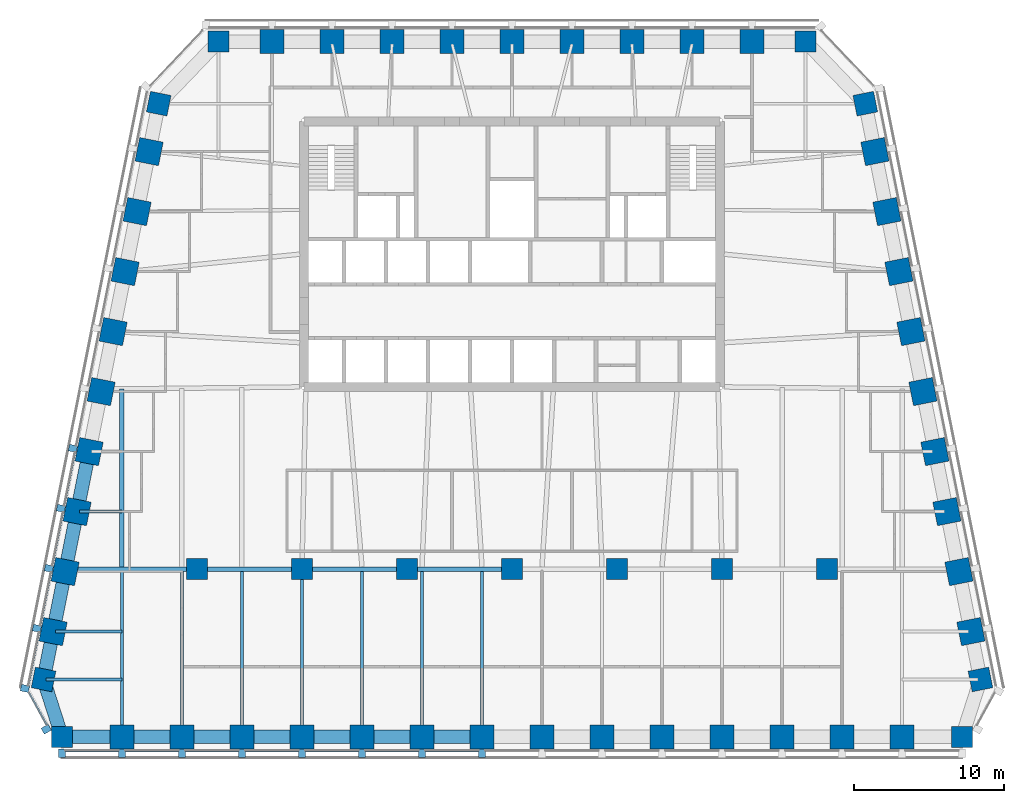
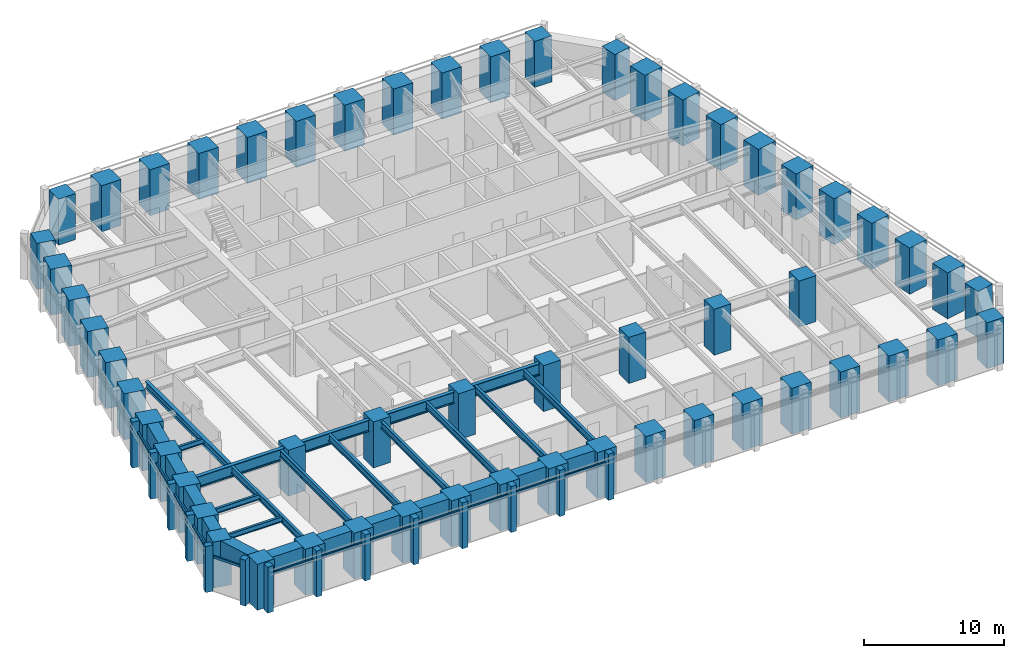
# One storey, part 1 of 11: 56 columns, 27 beams, 26 members, 3 elements without a shape of their own.
"""IFC4 building model written with IfcOpenShell, lengths in metres."""

from ifc_helpers import new_model, si_unit, direction, frame, origin, origin_2d, place, context, subcontext, project, spatial, rectangle, i_section, extrude, material, material_profile, profile_set, type_object, element, aggregate, save


model = new_model("IFC4")

# Units and contexts
model_context = context("Model", 3, precision=1e-05, world=origin(), true_north=direction((0.0, 1.0)))
body_context = subcontext(model_context, "Body", "Model", "MODEL_VIEW")
ifc_project = project(units=[si_unit("LENGTHUNIT", "METRE"), si_unit("AREAUNIT", "SQUARE_METRE"), si_unit("VOLUMEUNIT", "CUBIC_METRE"), si_unit("PLANEANGLEUNIT", "RADIAN"), si_unit("MASSUNIT", "GRAM", prefix="KILO")], contexts=[model_context])

# Site, building, storey
site_placement = place(None, origin())
site = spatial("IfcSite", under=ifc_project, at=site_placement, CompositionType="ELEMENT")
building_placement = place(site_placement, origin())
building = spatial("IfcBuilding", under=site, at=building_placement, Name="Isbrekke Arena Tower", CompositionType="ELEMENT")
storey_placement = place(building_placement, frame((0.0, 0.0, 210.0)))
storey = spatial("IfcBuildingStorey", under=building, at=storey_placement, Name="L48", CompositionType="ELEMENT", Elevation=210.0)

# Columns
ifc_material_1 = material(Name="Concrete B65 (C65/80)", Category="concrete")
ifc_material_profile_1 = material_profile(ifc_material_1, rectangle(XDim=1.39990234375, YDim=1.39990234375, at=origin_2d()), Name="RC 1400x1400")
ifc_profile_set_1 = profile_set([ifc_material_profile_1], Name="Concrete B65 (C65/80)")
column_type_1 = type_object("IfcColumnType", Name="C13 RC 1400 x 1400", PredefinedType="COLUMN", material=ifc_profile_set_1)
for number, where, z_axis, x_axis, name in (
    (1, (-21.0, -6.0, 0.0), (0.0, 0.0, 1.0), (1.0, 0.0, 0.0), "C13 I01"),
    (2, (-14.0, -6.0, 0.0), (0.0, 0.0, 1.0), (1.0, 0.0, 0.0), "C13 I02"),
    (3, (-7.0, -6.0, 0.0), (0.0, 0.0, 1.0), (1.0, 0.0, 0.0), "C13 I03"),
    (4, (0.0, -6.0, 0.0), (0.0, 0.0, 1.0), (1.0, 0.0, 0.0), "C13 I04"),
    (5, (7.0, -6.0, 0.0), (0.0, 0.0, 1.0), (1.0, 0.0, 0.0), "C13 I05"),
    (6, (14.0, -6.0, 0.0), (0.0, 0.0, 1.0), (1.0, 0.0, 0.0), "C13 I06"),
    (7, (21.0, -6.0, 0.0), (0.0, 0.0, 1.0), (1.0, 0.0, 0.0), "C13 I07"),
):
    element("IfcColumn", number, at=place(storey_placement, frame(where, z_axis=z_axis, x_axis=x_axis)), inside=storey, type_object=column_type_1, Name=name, PredefinedType="COLUMN", context=body_context, shape_type="SweptSolid", body=[
        extrude(rectangle(XDim=1.39990234375, YDim=1.39990234375, at=origin_2d()), origin(), (0.0, 0.0, 1.0), 4.0),
    ])
ifc_material_2 = material(Name="Concrete B65 (C65/80)", Category="concrete")
ifc_material_profile_2 = material_profile(ifc_material_2, rectangle(XDim=1.60009765625, YDim=1.60009765625, at=origin_2d()), Name="RC 1600x1600")
ifc_profile_set_2 = profile_set([ifc_material_profile_2], Name="Concrete B65 (C65/80)")
column_type_2 = type_object("IfcColumnType", Name="C4 RC 1600 x 1600", PredefinedType="COLUMN", material=ifc_profile_set_2)
for number, where, z_axis, x_axis, name in (
    (8, (-26.0, -17.175048828125, 0.0), (0.0, 0.0, 1.0), (1.0, 0.0, 0.0), "C4 S02"),
    (9, (-22.0, -17.175048828125, 0.0), (0.0, 0.0, 1.0), (1.0, 0.0, 0.0), "C4 S03"),
    (10, (-18.0, -17.175048828125, 0.0), (0.0, 0.0, 1.0), (1.0, 0.0, 0.0), "C4 S04"),
    (11, (-14.0, -17.175048828125, 0.0), (0.0, 0.0, 1.0), (1.0, 0.0, 0.0), "C4 S05"),
    (12, (-10.0, -17.175048828125, 0.0), (0.0, 0.0, 1.0), (1.0, 0.0, 0.0), "C4 S06"),
    (13, (-6.0, -17.175048828125, 0.0), (0.0, 0.0, 1.0), (1.0, 0.0, 0.0), "C4 S07"),
    (14, (-2.0, -17.175048828125, 0.0), (0.0, 0.0, 1.0), (1.0, 0.0, 0.0), "C4 S08"),
    (15, (2.0, -17.175048828125, 0.0), (0.0, 0.0, 1.0), (1.0, 0.0, 0.0), "C4 S09"),
    (16, (6.0, -17.175048828125, 0.0), (0.0, 0.0, 1.0), (1.0, 0.0, 0.0), "C4 S10"),
    (17, (10.0, -17.175048828125, 0.0), (0.0, 0.0, 1.0), (1.0, 0.0, 0.0), "C4 S11"),
    (18, (14.0, -17.175048828125, 0.0), (0.0, 0.0, 1.0), (1.0, 0.0, 0.0), "C4 S12"),
    (19, (18.0, -17.175048828125, 0.0), (0.0, 0.0, 1.0), (1.0, 0.0, 0.0), "C4 S13"),
    (20, (22.0, -17.175048828125, 0.0), (0.0, 0.0, 1.0), (1.0, 0.0, 0.0), "C4 S14"),
    (21, (26.0, -17.175048828125, 0.0), (0.0, 0.0, 1.0), (1.0, 0.0, 0.0), "C4 S15"),
    (22, (30.591064453125, -10.161865234375, 0.0), (0.0, 0.0, 1.0), (-0.196116135138, 0.980580675691, 0.0), "C4 E02"),
    (23, (29.791015625, -6.161865234375, 0.0), (0.0, 0.0, 1.0), (-0.196116135138, 0.980580675691, 0.0), "C4 E03"),
    (24, (28.990966796875, -2.161865234375, 0.0), (0.0, 0.0, 1.0), (-0.196116135138, 0.980580675691, 0.0), "C4 E04"),
    (25, (28.19091796875, 1.838134765625, 0.0), (0.0, 0.0, 1.0), (-0.196116135138, 0.980580675691, 0.0), "C4 E05"),
    (26, (27.39111328125, 5.838134765625, 0.0), (0.0, 0.0, 1.0), (-0.196116135138, 0.980580675691, 0.0), "C4 E06"),
    (27, (26.591064453125, 9.838134765625, 0.0), (0.0, 0.0, 1.0), (-0.196116135138, 0.980580675691, 0.0), "C4 E07"),
    (28, (25.791015625, 13.838134765625, 0.0), (0.0, 0.0, 1.0), (-0.196116135138, 0.980580675691, 0.0), "C4 E08"),
    (29, (24.990966796875, 17.838134765625, 0.0), (0.0, 0.0, 1.0), (-0.196116135138, 0.980580675691, 0.0), "C4 E09"),
    (30, (24.19091796875, 21.838134765625, 0.0), (0.0, 0.0, 1.0), (-0.196116135138, 0.980580675691, 0.0), "C4 E10"),
    (31, (16.0, 29.175048828125, 0.0), (0.0, 0.0, 1.0), (-1.0, 0.0, 0.0), "C4 N02"),
    (32, (12.0, 29.175048828125, 0.0), (0.0, 0.0, 1.0), (-1.0, 0.0, 0.0), "C4 N03"),
    (33, (8.0, 29.175048828125, 0.0), (0.0, 0.0, 1.0), (-1.0, 0.0, 0.0), "C4 N04"),
    (34, (4.0, 29.175048828125, 0.0), (0.0, 0.0, 1.0), (-1.0, 0.0, 0.0), "C4 N05"),
    (35, (0.0, 29.175048828125, 0.0), (0.0, 0.0, 1.0), (-1.0, 0.0, 0.0), "C4 N06"),
    (36, (-4.0, 29.175048828125, 0.0), (0.0, 0.0, 1.0), (-1.0, 0.0, 0.0), "C4 N07"),
    (37, (-8.0, 29.175048828125, 0.0), (0.0, 0.0, 1.0), (-1.0, 0.0, 0.0), "C4 N08"),
    (38, (-12.0, 29.175048828125, 0.0), (0.0, 0.0, 1.0), (-1.0, 0.0, 0.0), "C4 N09"),
    (39, (-16.0, 29.175048828125, 0.0), (0.0, 0.0, 1.0), (-1.0, 0.0, 0.0), "C4 N10"),
    (40, (-24.19091796875, 21.838134765625, 0.0), (0.0, 0.0, 1.0), (-0.196116135138, -0.980580675691, 0.0), "C4 W02"),
    (41, (-24.990966796875, 17.838134765625, 0.0), (0.0, 0.0, 1.0), (-0.196116135138, -0.980580675691, 0.0), "C4 W03"),
    (42, (-25.791015625, 13.838134765625, 0.0), (0.0, 0.0, 1.0), (-0.196116135138, -0.980580675691, 0.0), "C4 W04"),
    (43, (-26.591064453125, 9.838134765625, 0.0), (0.0, 0.0, 1.0), (-0.196116135138, -0.980580675691, 0.0), "C4 W05"),
    (44, (-27.39111328125, 5.838134765625, 0.0), (0.0, 0.0, 1.0), (-0.196116135138, -0.980580675691, 0.0), "C4 W06"),
    (45, (-28.19091796875, 1.838134765625, 0.0), (0.0, 0.0, 1.0), (-0.196116135138, -0.980580675691, 0.0), "C4 W07"),
    (46, (-28.990966796875, -2.161865234375, 0.0), (0.0, 0.0, 1.0), (-0.196116135138, -0.980580675691, 0.0), "C4 W08"),
    (47, (-29.791015625, -6.161865234375, 0.0), (0.0, 0.0, 1.0), (-0.196116135138, -0.980580675691, 0.0), "C4 W09"),
    (48, (-30.591064453125, -10.161865234375, 0.0), (0.0, 0.0, 1.0), (-0.196116135138, -0.980580675691, 0.0), "C4 W10"),
):
    element("IfcColumn", number, at=place(storey_placement, frame(where, z_axis=z_axis, x_axis=x_axis)), inside=storey, type_object=column_type_2, Name=name, PredefinedType="COLUMN", context=body_context, shape_type="SweptSolid", body=[
        extrude(rectangle(XDim=1.60009765625, YDim=1.60009765625, at=origin_2d()), origin(), (0.0, 0.0, 1.0), 4.0),
    ])
ifc_material_3 = material(Name="Concrete B65 (C65/80)", Category="concrete")
ifc_material_profile_3 = material_profile(ifc_material_3, rectangle(XDim=1.39990234375, YDim=1.39990234375, at=origin_2d()), Name="RC 1400x1400")
ifc_profile_set_3 = profile_set([ifc_material_profile_3], Name="Concrete B65 (C65/80)")
column_type_3 = type_object("IfcColumnType", Name="C8 RC 1400 x 1400", PredefinedType="COLUMN", material=ifc_profile_set_3)
for number, where, z_axis, x_axis, name in (
    (49, (-30.0, -17.175048828125, 0.0), (0.0, 0.0, 1.0), (1.0, 0.0, 0.0), "C8 S01"),
    (50, (30.0, -17.175048828125, 0.0), (0.0, 0.0, 1.0), (1.0, 0.0, 0.0), "C8 S16"),
    (51, (31.229248046875, -13.352783203125, 0.0), (0.0, 0.0, 1.0), (-0.196116135138, 0.980580675691, 0.0), "C8 E01"),
    (52, (23.552734375, 25.029296875, 0.0), (0.0, 0.0, 1.0), (-0.196116135138, 0.980580675691, 0.0), "C8 E11"),
    (53, (19.574951171875, 29.175048828125, 0.0), (0.0, 0.0, 1.0), (-1.0, 0.0, 0.0), "C8 N01"),
    (54, (-19.574951171875, 29.175048828125, 0.0), (0.0, 0.0, 1.0), (-1.0, 0.0, 0.0), "C8 N11"),
    (55, (-23.552734375, 25.029296875, 0.0), (0.0, 0.0, 1.0), (-0.196116135138, -0.980580675691, 0.0), "C8 W01"),
    (56, (-31.229248046875, -13.352783203125, 0.0), (0.0, 0.0, 1.0), (-0.196116135138, -0.980580675691, 0.0), "C8 W11"),
):
    element("IfcColumn", number, at=place(storey_placement, frame(where, z_axis=z_axis, x_axis=x_axis)), inside=storey, type_object=column_type_3, Name=name, PredefinedType="COLUMN", context=body_context, shape_type="SweptSolid", body=[
        extrude(rectangle(XDim=1.39990234375, YDim=1.39990234375, at=origin_2d()), origin(), (0.0, 0.0, 1.0), 4.0),
    ])

# Beams
ifc_material_4 = material(Name="Steel S355", Category="steel")
ifc_material_profile_4 = material_profile(ifc_material_4, i_section(OverallWidth=0.219970703125, OverallDepth=0.60009765625, WebThickness=0.011962890625, FlangeThickness=0.01904296875, FilletRadius=0.02392578125, at=origin_2d()), Name="IPE 600")
ifc_profile_set_4 = profile_set([ifc_material_profile_4], Name="Steel S355")
beam_type_1 = type_object("IfcBeamType", Name="B1 IPE 600", PredefinedType="BEAM", material=ifc_profile_set_4)
for number, where, z_axis, x_axis, name in (
    (57, (-26.0, -17.02490234375, 3.550048828125), (0.0, 1.0, 0.0), (-1.0, 0.0, 0.0), "B1 beam S-S02 L48"),
    (58, (-22.0, -17.02490234375, 3.550048828125), (0.0, 1.0, 0.0), (-1.0, 0.0, 0.0), "B1 beam S-S03 L48"),
    (59, (-18.0, -17.02490234375, 3.550048828125), (0.0, 1.0, 0.0), (-1.0, 0.0, 0.0), "B1 beam S-S04 L48"),
):
    element("IfcBeam", number, at=place(storey_placement, frame(where, z_axis=z_axis, x_axis=x_axis)), inside=storey, type_object=beam_type_1, Name=name, PredefinedType="BEAM", context=body_context, shape_type="SweptSolid", body=[
        extrude(i_section(OverallWidth=0.219970703125, OverallDepth=0.60009765625, WebThickness=0.011962890625, FlangeThickness=0.01904296875, FilletRadius=0.02392578125, at=origin_2d()), origin(), (0.0, 0.0, 1.0), 10.8740234375),
    ])
beam_1_placement = place(storey_placement, frame((-14.0, -17.02490234375, 3.550048828125), z_axis=(0.0, 1.0, 0.0), x_axis=(-1.0, 0.0, 0.0)))
element("IfcBeam", 60, at=beam_1_placement, inside=storey, type_object=beam_type_1, Name="B1 beam S-S05 L48", PredefinedType="BEAM", context=body_context, shape_type="SweptSolid", body=[
    extrude(i_section(OverallWidth=0.219970703125, OverallDepth=0.60009765625, WebThickness=0.011962890625, FlangeThickness=0.01904296875, FilletRadius=0.02392578125, at=origin_2d()), origin(), (0.0, 0.0, 1.0), 10.875),
])
for number, where, z_axis, x_axis, name in (
    (61, (-10.0, -17.02490234375, 3.550048828125), (0.0, 1.0, 0.0), (-1.0, 0.0, 0.0), "B1 beam S-S06 L48"),
    (62, (-6.0, -17.02490234375, 3.550048828125), (0.0, 1.0, 0.0), (-1.0, 0.0, 0.0), "B1 beam S-S07 L48"),
    (63, (-2.0, -17.02490234375, 3.550048828125), (0.0, 1.0, 0.0), (-1.0, 0.0, 0.0), "B1 beam S-S08 L48"),
):
    element("IfcBeam", number, at=place(storey_placement, frame(where, z_axis=z_axis, x_axis=x_axis)), inside=storey, type_object=beam_type_1, Name=name, PredefinedType="BEAM", context=body_context, shape_type="SweptSolid", body=[
        extrude(i_section(OverallWidth=0.219970703125, OverallDepth=0.60009765625, WebThickness=0.011962890625, FlangeThickness=0.01904296875, FilletRadius=0.02392578125, at=origin_2d()), origin(), (0.0, 0.0, 1.0), 10.8740234375),
    ])
ifc_material_5 = material(Name="Steel S355", Category="steel")
ifc_material_profile_5 = material_profile(ifc_material_5, i_section(OverallWidth=0.18994140625, OverallDepth=0.449951171875, WebThickness=0.009521484375, FlangeThickness=0.0146484375, FilletRadius=0.02099609375, at=origin_2d()), Name="IPE 450")
ifc_profile_set_5 = profile_set([ifc_material_profile_5], Name="Steel S355")
beam_type_2 = type_object("IfcBeamType", Name="B2 IPE 450", PredefinedType="BEAM", material=ifc_profile_set_5)
beam_2_placement = place(storey_placement, frame((-28.841064453125, -2.161865234375, 3.625), z_axis=(1.0, 0.0, 0.0), x_axis=(0.0, 1.0, 0.0)))
element("IfcBeam", 64, at=beam_2_placement, inside=storey, type_object=beam_type_2, Name="B2 beam E-W08 L48", PredefinedType="BEAM", context=body_context, shape_type="SweptSolid", body=[
    extrude(i_section(OverallWidth=0.18994140625, OverallDepth=0.449951171875, WebThickness=0.009521484375, FlangeThickness=0.0146484375, FilletRadius=0.02099609375, at=origin_2d()), origin(), (0.0, 0.0, 1.0), 2.841064453125),
])
beam_3_placement = place(storey_placement, frame((-30.44091796875, -10.161865234375, 3.625), z_axis=(1.0, 0.0, 0.0), x_axis=(0.0, 1.0, 0.0)))
element("IfcBeam", 65, at=beam_3_placement, inside=storey, type_object=beam_type_2, Name="B2 beam E-W10 L48", PredefinedType="BEAM", context=body_context, shape_type="SweptSolid", body=[
    extrude(i_section(OverallWidth=0.18994140625, OverallDepth=0.449951171875, WebThickness=0.009521484375, FlangeThickness=0.0146484375, FilletRadius=0.02099609375, at=origin_2d()), origin(), (0.0, 0.0, 1.0), 4.44091796875),
])
beam_4_placement = place(storey_placement, frame((-31.079345703125, -13.352783203125, 3.625), z_axis=(1.0, 0.0, 0.0), x_axis=(0.0, 1.0, 0.0)))
element("IfcBeam", 66, at=beam_4_placement, inside=storey, type_object=beam_type_2, Name="B2 beam E-W11 L48", PredefinedType="BEAM", context=body_context, shape_type="SweptSolid", body=[
    extrude(i_section(OverallWidth=0.18994140625, OverallDepth=0.449951171875, WebThickness=0.009521484375, FlangeThickness=0.0146484375, FilletRadius=0.02099609375, at=origin_2d()), origin(), (0.0, 0.0, 1.0), 5.079345703125),
])
ifc_material_6 = material(Name="Steel S355", Category="steel")
ifc_material_profile_6 = material_profile(ifc_material_6, i_section(OverallWidth=0.300048828125, OverallDepth=0.60009765625, WebThickness=0.015380859375, FlangeThickness=0.030029296875, FilletRadius=0.027099609375, at=origin_2d()), Name="HEB 600")
ifc_profile_set_6 = profile_set([ifc_material_profile_6], Name="Steel S355")
beam_type_3 = type_object("IfcBeamType", Name="B7 HEB 600", PredefinedType="BEAM", material=ifc_profile_set_6)
beam_5_placement = place(storey_placement, frame((-26.0, -5.84912109375, 3.550048828125), z_axis=(0.0, 1.0, 0.0), x_axis=(-1.0, 0.0, 0.0)))
element("IfcBeam", 67, at=beam_5_placement, inside=storey, type_object=beam_type_3, Name="B7 beam C-M01 L48", PredefinedType="BEAM", context=body_context, shape_type="SweptSolid", body=[
    extrude(i_section(OverallWidth=0.300048828125, OverallDepth=0.60009765625, WebThickness=0.015380859375, FlangeThickness=0.030029296875, FilletRadius=0.027099609375, at=origin_2d()), origin(), (0.0, 0.0, 1.0), 11.864990234375),
])

# Curtain wall, members
ifc_material_7 = material(Name="Glazed aluminium curtain wall", Category="aluminium")
curtain_wall_type = type_object("IfcCurtainWallType", Name="CWH TOWER CURTAIN WALL HIGH ZONE", PredefinedType="USERDEFINED", material=ifc_material_7)
curtain_wall_1_placement = place(storey_placement, origin())
curtain_wall_1 = element("IfcCurtainWall", 68, at=curtain_wall_1_placement, inside=storey, type_object=curtain_wall_type, Name="CWH curtain wall L48-S", ObjectType="TOWER CURTAIN WALL HIGH ZONE", PredefinedType="USERDEFINED")
ifc_material_8 = material(Name="Aluminium mullion, pale brick slip cladding", Category="masonry")
ifc_material_profile_7 = material_profile(ifc_material_8, rectangle(XDim=0.449951171875, YDim=0.550048828125, at=origin_2d()), Name="PIER 450X550")
ifc_profile_set_7 = profile_set([ifc_material_profile_7], Name="Aluminium mullion, pale brick slip cladding")
member_type_1 = type_object("IfcMemberType", Name="CWH-M PIER MULLION 450 x 550", PredefinedType="MULLION", material=ifc_profile_set_7)
member_1_placement = place(storey_placement, frame((-30.0, -18.27490234375, 0.0), z_axis=(0.0, 0.0, 1.0), x_axis=(1.0, 0.0, 0.0)))
member_1 = element("IfcMember", 69, at=member_1_placement, type_object=member_type_1, Name="CWH-M mullion 1", PredefinedType="MULLION", context=body_context, shape_type="SweptSolid", body=[
    extrude(rectangle(XDim=0.449951171875, YDim=0.550048828125, at=origin_2d()), origin(), (0.0, 0.0, 1.0), 4.0),
])
member_2_placement = place(storey_placement, frame((-26.0, -18.27490234375, 0.0), z_axis=(0.0, 0.0, 1.0), x_axis=(1.0, 0.0, 0.0)))
member_2 = element("IfcMember", 70, at=member_2_placement, type_object=member_type_1, Name="CWH-M mullion 2", PredefinedType="MULLION", context=body_context, shape_type="SweptSolid", body=[
    extrude(rectangle(XDim=0.449951171875, YDim=0.550048828125, at=origin_2d()), origin(), (0.0, 0.0, 1.0), 4.0),
])
member_3_placement = place(storey_placement, frame((-22.0, -18.27490234375, 0.0), z_axis=(0.0, 0.0, 1.0), x_axis=(1.0, 0.0, 0.0)))
member_3 = element("IfcMember", 71, at=member_3_placement, type_object=member_type_1, Name="CWH-M mullion 3", PredefinedType="MULLION", context=body_context, shape_type="SweptSolid", body=[
    extrude(rectangle(XDim=0.449951171875, YDim=0.550048828125, at=origin_2d()), origin(), (0.0, 0.0, 1.0), 4.0),
])
member_4_placement = place(storey_placement, frame((-18.0, -18.27490234375, 0.0), z_axis=(0.0, 0.0, 1.0), x_axis=(1.0, 0.0, 0.0)))
member_4 = element("IfcMember", 72, at=member_4_placement, type_object=member_type_1, Name="CWH-M mullion 4", PredefinedType="MULLION", context=body_context, shape_type="SweptSolid", body=[
    extrude(rectangle(XDim=0.449951171875, YDim=0.550048828125, at=origin_2d()), origin(), (0.0, 0.0, 1.0), 4.0),
])
member_5_placement = place(storey_placement, frame((-14.0, -18.27490234375, 0.0), z_axis=(0.0, 0.0, 1.0), x_axis=(1.0, 0.0, 0.0)))
member_5 = element("IfcMember", 73, at=member_5_placement, type_object=member_type_1, Name="CWH-M mullion 5", PredefinedType="MULLION", context=body_context, shape_type="SweptSolid", body=[
    extrude(rectangle(XDim=0.449951171875, YDim=0.550048828125, at=origin_2d()), origin(), (0.0, 0.0, 1.0), 4.0),
])
member_6_placement = place(storey_placement, frame((-10.0, -18.27490234375, 0.0), z_axis=(0.0, 0.0, 1.0), x_axis=(1.0, 0.0, 0.0)))
member_6 = element("IfcMember", 74, at=member_6_placement, type_object=member_type_1, Name="CWH-M mullion 6", PredefinedType="MULLION", context=body_context, shape_type="SweptSolid", body=[
    extrude(rectangle(XDim=0.449951171875, YDim=0.550048828125, at=origin_2d()), origin(), (0.0, 0.0, 1.0), 4.0),
])
member_7_placement = place(storey_placement, frame((-6.0, -18.27490234375, 0.0), z_axis=(0.0, 0.0, 1.0), x_axis=(1.0, 0.0, 0.0)))
member_7 = element("IfcMember", 75, at=member_7_placement, type_object=member_type_1, Name="CWH-M mullion 7", PredefinedType="MULLION", context=body_context, shape_type="SweptSolid", body=[
    extrude(rectangle(XDim=0.449951171875, YDim=0.550048828125, at=origin_2d()), origin(), (0.0, 0.0, 1.0), 4.0),
])
member_8_placement = place(storey_placement, frame((-2.0, -18.27490234375, 0.0), z_axis=(0.0, 0.0, 1.0), x_axis=(1.0, 0.0, 0.0)))
member_8 = element("IfcMember", 76, at=member_8_placement, type_object=member_type_1, Name="CWH-M mullion 8", PredefinedType="MULLION", context=body_context, shape_type="SweptSolid", body=[
    extrude(rectangle(XDim=0.449951171875, YDim=0.550048828125, at=origin_2d()), origin(), (0.0, 0.0, 1.0), 4.0),
])

curtain_wall_2_placement = place(storey_placement, origin())
curtain_wall_2 = element("IfcCurtainWall", 77, at=curtain_wall_2_placement, inside=storey, type_object=curtain_wall_type, Name="CWH curtain wall L48-W", ObjectType="TOWER CURTAIN WALL HIGH ZONE", PredefinedType="USERDEFINED")
member_9_placement = place(storey_placement, frame((-29.269775390625, 2.053955078125, 0.0), z_axis=(0.0, 0.0, 1.0), x_axis=(-0.196116135138, -0.980580675691, 0.0)))
member_9 = element("IfcMember", 78, at=member_9_placement, type_object=member_type_1, Name="CWH-M mullion 6", PredefinedType="MULLION", context=body_context, shape_type="SweptSolid", body=[
    extrude(rectangle(XDim=0.449951171875, YDim=0.550048828125, at=origin_2d()), origin(), (0.0, 0.0, 1.0), 4.0),
])
member_10_placement = place(storey_placement, frame((-30.069580078125, -1.946044921875, 0.0), z_axis=(0.0, 0.0, 1.0), x_axis=(-0.196116135138, -0.980580675691, 0.0)))
member_10 = element("IfcMember", 79, at=member_10_placement, type_object=member_type_1, Name="CWH-M mullion 7", PredefinedType="MULLION", context=body_context, shape_type="SweptSolid", body=[
    extrude(rectangle(XDim=0.449951171875, YDim=0.550048828125, at=origin_2d()), origin(), (0.0, 0.0, 1.0), 4.0),
])
member_11_placement = place(storey_placement, frame((-30.86962890625, -5.946044921875, 0.0), z_axis=(0.0, 0.0, 1.0), x_axis=(-0.196116135138, -0.980580675691, 0.0)))
member_11 = element("IfcMember", 80, at=member_11_placement, type_object=member_type_1, Name="CWH-M mullion 8", PredefinedType="MULLION", context=body_context, shape_type="SweptSolid", body=[
    extrude(rectangle(XDim=0.449951171875, YDim=0.550048828125, at=origin_2d()), origin(), (0.0, 0.0, 1.0), 4.0),
])
member_12_placement = place(storey_placement, frame((-31.669677734375, -9.946044921875, 0.0), z_axis=(0.0, 0.0, 1.0), x_axis=(-0.196116135138, -0.980580675691, 0.0)))
member_12 = element("IfcMember", 81, at=member_12_placement, type_object=member_type_1, Name="CWH-M mullion 9", PredefinedType="MULLION", context=body_context, shape_type="SweptSolid", body=[
    extrude(rectangle(XDim=0.449951171875, YDim=0.550048828125, at=origin_2d()), origin(), (0.0, 0.0, 1.0), 4.0),
])
member_13_placement = place(storey_placement, frame((-32.4697265625, -13.946044921875, 0.0), z_axis=(0.0, 0.0, 1.0), x_axis=(-0.196116135138, -0.980580675691, 0.0)))
member_13 = element("IfcMember", 82, at=member_13_placement, type_object=member_type_1, Name="CWH-M mullion 10", PredefinedType="MULLION", context=body_context, shape_type="SweptSolid", body=[
    extrude(rectangle(XDim=0.449951171875, YDim=0.550048828125, at=origin_2d()), origin(), (0.0, 0.0, 1.0), 4.0),
])

# Curtain wall, member
curtain_wall_3_placement = place(storey_placement, origin())
curtain_wall_3 = element("IfcCurtainWall", 83, at=curtain_wall_3_placement, inside=storey, type_object=curtain_wall_type, Name="CWH curtain wall L48-WS", ObjectType="TOWER CURTAIN WALL HIGH ZONE", PredefinedType="USERDEFINED")
member_14_placement = place(storey_placement, frame((-31.04638671875, -16.66796875, 0.0), z_axis=(0.0, 0.0, 1.0), x_axis=(0.481918749773, -0.876215908676, 0.0)))
member_14 = element("IfcMember", 84, at=member_14_placement, type_object=member_type_1, Name="CWH-M mullion 1", PredefinedType="MULLION", context=body_context, shape_type="SweptSolid", body=[
    extrude(rectangle(XDim=0.449951171875, YDim=0.550048828125, at=origin_2d()), origin(), (0.0, 0.0, 1.0), 4.0),
])

# Member
ifc_material_9 = material(Name="Aluminium transom", Category="aluminium")
ifc_material_profile_8 = material_profile(ifc_material_9, rectangle(XDim=0.1201171875, YDim=0.199951171875, at=origin_2d()), Name="TRANSOM 120X200")
ifc_profile_set_8 = profile_set([ifc_material_profile_8], Name="Aluminium transom")
member_type_2 = type_object("IfcMemberType", Name="CWH-T TRANSOM 120 x 200", PredefinedType="USERDEFINED", material=ifc_profile_set_8)
member_15_placement = place(storey_placement, frame((-29.77490234375, -18.10009765625, 3.0), z_axis=(1.0, 0.0, 0.0), x_axis=(0.0, 1.0, 0.0)))
member_15 = element("IfcMember", 85, at=member_15_placement, type_object=member_type_2, Name="CWH-T transom 1", ObjectType="TRANSOM", PredefinedType="USERDEFINED", context=body_context, shape_type="SweptSolid", body=[
    extrude(rectangle(XDim=0.1201171875, YDim=0.199951171875, at=origin_2d()), origin(), (0.0, 0.0, 1.0), 3.5498046875),
])

member_16_placement = place(storey_placement, frame((-25.77490234375, -18.10009765625, 3.0), z_axis=(1.0, 0.0, 0.0), x_axis=(0.0, 1.0, 0.0)))
member_16 = element("IfcMember", 86, at=member_16_placement, type_object=member_type_2, Name="CWH-T transom 2", ObjectType="TRANSOM", PredefinedType="USERDEFINED", context=body_context, shape_type="SweptSolid", body=[
    extrude(rectangle(XDim=0.1201171875, YDim=0.199951171875, at=origin_2d()), origin(), (0.0, 0.0, 1.0), 3.5498046875),
])

member_17_placement = place(storey_placement, frame((-21.77490234375, -18.10009765625, 3.0), z_axis=(1.0, 0.0, 0.0), x_axis=(0.0, 1.0, 0.0)))
member_17 = element("IfcMember", 87, at=member_17_placement, type_object=member_type_2, Name="CWH-T transom 3", ObjectType="TRANSOM", PredefinedType="USERDEFINED", context=body_context, shape_type="SweptSolid", body=[
    extrude(rectangle(XDim=0.1201171875, YDim=0.199951171875, at=origin_2d()), origin(), (0.0, 0.0, 1.0), 3.5498046875),
])

member_18_placement = place(storey_placement, frame((-17.77490234375, -18.10009765625, 3.0), z_axis=(1.0, 0.0, 0.0), x_axis=(0.0, 1.0, 0.0)))
member_18 = element("IfcMember", 88, at=member_18_placement, type_object=member_type_2, Name="CWH-T transom 4", ObjectType="TRANSOM", PredefinedType="USERDEFINED", context=body_context, shape_type="SweptSolid", body=[
    extrude(rectangle(XDim=0.1201171875, YDim=0.199951171875, at=origin_2d()), origin(), (0.0, 0.0, 1.0), 3.5498046875),
])

member_19_placement = place(storey_placement, frame((-13.77490234375, -18.10009765625, 3.0), z_axis=(1.0, 0.0, 0.0), x_axis=(0.0, 1.0, 0.0)))
member_19 = element("IfcMember", 89, at=member_19_placement, type_object=member_type_2, Name="CWH-T transom 5", ObjectType="TRANSOM", PredefinedType="USERDEFINED", context=body_context, shape_type="SweptSolid", body=[
    extrude(rectangle(XDim=0.1201171875, YDim=0.199951171875, at=origin_2d()), origin(), (0.0, 0.0, 1.0), 3.5498046875),
])

member_20_placement = place(storey_placement, frame((-9.77490234375, -18.10009765625, 3.0), z_axis=(1.0, 0.0, 0.0), x_axis=(0.0, 1.0, 0.0)))
member_20 = element("IfcMember", 90, at=member_20_placement, type_object=member_type_2, Name="CWH-T transom 6", ObjectType="TRANSOM", PredefinedType="USERDEFINED", context=body_context, shape_type="SweptSolid", body=[
    extrude(rectangle(XDim=0.1201171875, YDim=0.199951171875, at=origin_2d()), origin(), (0.0, 0.0, 1.0), 3.5498046875),
])

member_21_placement = place(storey_placement, frame((-5.77490234375, -18.10009765625, 3.0), z_axis=(1.0, 0.0, 0.0), x_axis=(0.0, 1.0, 0.0)))
member_21 = element("IfcMember", 91, at=member_21_placement, type_object=member_type_2, Name="CWH-T transom 7", ObjectType="TRANSOM", PredefinedType="USERDEFINED", context=body_context, shape_type="SweptSolid", body=[
    extrude(rectangle(XDim=0.1201171875, YDim=0.199951171875, at=origin_2d()), origin(), (0.0, 0.0, 1.0), 3.5498046875),
])

aggregate(curtain_wall_1, [member_1, member_2, member_3, member_4, member_5, member_6, member_7, member_8, member_15, member_16, member_17, member_18, member_19, member_20, member_21])

member_22_placement = place(storey_placement, frame((-29.14208984375, 1.799072265625, 3.0), z_axis=(-0.196154943734, -0.980572913173, 0.0), x_axis=(0.980572913173, -0.196154943734, 0.0)))
member_22 = element("IfcMember", 92, at=member_22_placement, type_object=member_type_2, Name="CWH-T transom 7", ObjectType="TRANSOM", PredefinedType="USERDEFINED", context=body_context, shape_type="SweptSolid", body=[
    extrude(rectangle(XDim=0.1201171875, YDim=0.199951171875, at=origin_2d()), origin(), (0.0, 0.0, 1.0), 3.62939453125),
])

member_23_placement = place(storey_placement, frame((-29.942138671875, -2.200927734375, 3.0), z_axis=(-0.196154943734, -0.980572913173, 0.0), x_axis=(0.980572913173, -0.196154943734, 0.0)))
member_23 = element("IfcMember", 93, at=member_23_placement, type_object=member_type_2, Name="CWH-T transom 8", ObjectType="TRANSOM", PredefinedType="USERDEFINED", context=body_context, shape_type="SweptSolid", body=[
    extrude(rectangle(XDim=0.1201171875, YDim=0.199951171875, at=origin_2d()), origin(), (0.0, 0.0, 1.0), 3.62939453125),
])

member_24_placement = place(storey_placement, frame((-30.7421875, -6.200927734375, 3.0), z_axis=(-0.196090262229, -0.980585849918, 0.0), x_axis=(0.980585849918, -0.196090262229, 0.0)))
member_24 = element("IfcMember", 94, at=member_24_placement, type_object=member_type_2, Name="CWH-T transom 9", ObjectType="TRANSOM", PredefinedType="USERDEFINED", context=body_context, shape_type="SweptSolid", body=[
    extrude(rectangle(XDim=0.1201171875, YDim=0.199951171875, at=origin_2d()), origin(), (0.0, 0.0, 1.0), 3.62939453125),
])

member_25_placement = place(storey_placement, frame((-31.542236328125, -10.200927734375, 3.0), z_axis=(-0.196090262229, -0.980585849918, 0.0), x_axis=(0.980585849918, -0.196090262229, 0.0)))
member_25 = element("IfcMember", 95, at=member_25_placement, type_object=member_type_2, Name="CWH-T transom 10", ObjectType="TRANSOM", PredefinedType="USERDEFINED", context=body_context, shape_type="SweptSolid", body=[
    extrude(rectangle(XDim=0.1201171875, YDim=0.199951171875, at=origin_2d()), origin(), (0.0, 0.0, 1.0), 3.62939453125),
])

aggregate(curtain_wall_2, [member_9, member_10, member_11, member_12, member_13, member_22, member_23, member_24, member_25])

member_26_placement = place(storey_placement, frame((-32.17919921875, -14.245361328125, 3.0), z_axis=(0.481957101782, -0.876194813978, 0.0), x_axis=(0.876194813978, 0.481957101782, 0.0)))
member_26 = element("IfcMember", 96, at=member_26_placement, type_object=member_type_2, Name="CWH-T transom 1", ObjectType="TRANSOM", PredefinedType="USERDEFINED", context=body_context, shape_type="SweptSolid", body=[
    extrude(rectangle(XDim=0.1201171875, YDim=0.199951171875, at=origin_2d()), origin(), (0.0, 0.0, 1.0), 2.443603515625),
])

aggregate(curtain_wall_3, [member_14, member_26])

# Beams
ifc_material_10 = material(Name="Steel S355", Category="steel")
ifc_material_profile_9 = material_profile(ifc_material_10, i_section(OverallWidth=0.302001953125, OverallDepth=1.008056640625, WebThickness=0.02099609375, FlangeThickness=0.0400390625, FilletRadius=0.030029296875, at=origin_2d()), Name="HEM 1000")
ifc_profile_set_9 = profile_set([ifc_material_profile_9], Name="Steel S355")
beam_type_4 = type_object("IfcBeamType", Name="G1 HEM 1000", PredefinedType="BEAM", material=ifc_profile_set_9)
beam_6_placement = place(storey_placement, frame((-29.791015625, -6.0, 3.345947265625), z_axis=(1.0, 0.0, 0.0), x_axis=(0.0, 1.0, 0.0)))
element("IfcBeam", 97, at=beam_6_placement, inside=storey, type_object=beam_type_4, Name="G1 beam G1-01 L48", PredefinedType="BEAM", context=body_context, shape_type="SweptSolid", body=[
    extrude(i_section(OverallWidth=0.302001953125, OverallDepth=1.008056640625, WebThickness=0.02099609375, FlangeThickness=0.0400390625, FilletRadius=0.030029296875, at=origin_2d()), origin(), (0.0, 0.0, 1.0), 8.64111328125),
])
for number, where, z_axis, x_axis, name in (
    (98, (-20.85009765625, -6.0, 3.345947265625), (1.0, 0.0, 0.0), (0.0, 1.0, 0.0), "G1 beam G1-02 L48"),
    (99, (-13.85009765625, -6.0, 3.345947265625), (1.0, 0.0, 0.0), (0.0, 1.0, 0.0), "G1 beam G1-03 L48"),
    (100, (-6.85009765625, -6.0, 3.345947265625), (1.0, 0.0, 0.0), (0.0, 1.0, 0.0), "G1 beam G1-04 L48"),
):
    element("IfcBeam", number, at=place(storey_placement, frame(where, z_axis=z_axis, x_axis=x_axis)), inside=storey, type_object=beam_type_4, Name=name, PredefinedType="BEAM", context=body_context, shape_type="SweptSolid", body=[
        extrude(i_section(OverallWidth=0.302001953125, OverallDepth=1.008056640625, WebThickness=0.02099609375, FlangeThickness=0.0400390625, FilletRadius=0.030029296875, at=origin_2d()), origin(), (0.0, 0.0, 1.0), 6.7001953125),
    ])
ifc_material_11 = material(Name="Concrete B65 (C65/80)", Category="concrete")
ifc_material_profile_10 = material_profile(ifc_material_11, rectangle(XDim=0.89990234375, YDim=1.5, at=origin_2d()), Name="RC 900x1500")
ifc_profile_set_10 = profile_set([ifc_material_profile_10], Name="Concrete B65 (C65/80)")
beam_type_5 = type_object("IfcBeamType", Name="SB3 RC 900 x 1500", PredefinedType="SPANDREL", material=ifc_profile_set_10)
for number, where, z_axis, x_axis, name in (
    (101, (-29.85009765625, -17.175048828125, 3.25), (1.0, 0.0, 0.0), (0.0, 1.0, 0.0), "SB3 spandrel S01-S02 L48"),
    (102, (-25.85009765625, -17.175048828125, 3.25), (1.0, 0.0, 0.0), (0.0, 1.0, 0.0), "SB3 spandrel S02-S03 L48"),
    (103, (-21.85009765625, -17.175048828125, 3.25), (1.0, 0.0, 0.0), (0.0, 1.0, 0.0), "SB3 spandrel S03-S04 L48"),
    (104, (-17.85009765625, -17.175048828125, 3.25), (1.0, 0.0, 0.0), (0.0, 1.0, 0.0), "SB3 spandrel S04-S05 L48"),
    (105, (-13.85009765625, -17.175048828125, 3.25), (1.0, 0.0, 0.0), (0.0, 1.0, 0.0), "SB3 spandrel S05-S06 L48"),
    (106, (-9.85009765625, -17.175048828125, 3.25), (1.0, 0.0, 0.0), (0.0, 1.0, 0.0), "SB3 spandrel S06-S07 L48"),
    (107, (-5.85009765625, -17.175048828125, 3.25), (1.0, 0.0, 0.0), (0.0, 1.0, 0.0), "SB3 spandrel S07-S08 L48"),
):
    element("IfcBeam", number, at=place(storey_placement, frame(where, z_axis=z_axis, x_axis=x_axis)), inside=storey, type_object=beam_type_5, Name=name, PredefinedType="SPANDREL", context=body_context, shape_type="SweptSolid", body=[
        extrude(rectangle(XDim=0.89990234375, YDim=1.5, at=origin_2d()), origin(), (0.0, 0.0, 1.0), 3.7001953125),
    ])
for number, where, z_axis, x_axis, name in (
    (108, (-28.220458984375, 1.691162109375, 3.25), (-0.196128558387, -0.980578190959, 0.0), (0.980578190959, -0.196128558387, 0.0), "SB3 spandrel W07-W08 L48"),
    (109, (-29.0205078125, -2.308837890625, 3.25), (-0.196128558387, -0.980578190959, 0.0), (0.980578190959, -0.196128558387, 0.0), "SB3 spandrel W08-W09 L48"),
):
    element("IfcBeam", number, at=place(storey_placement, frame(where, z_axis=z_axis, x_axis=x_axis)), inside=storey, type_object=beam_type_5, Name=name, PredefinedType="SPANDREL", context=body_context, shape_type="SweptSolid", body=[
        extrude(rectangle(XDim=0.89990234375, YDim=1.5, at=origin_2d()), origin(), (0.0, 0.0, 1.0), 3.779296875),
    ])
beam_7_placement = place(storey_placement, frame((-29.820556640625, -6.308837890625, 3.25), z_axis=(-0.1960664412, -0.980590613169, 0.0), x_axis=(0.980590613169, -0.1960664412, 0.0)))
element("IfcBeam", 110, at=beam_7_placement, inside=storey, type_object=beam_type_5, Name="SB3 spandrel W09-W10 L48", PredefinedType="SPANDREL", context=body_context, shape_type="SweptSolid", body=[
    extrude(rectangle(XDim=0.89990234375, YDim=1.5, at=origin_2d()), origin(), (0.0, 0.0, 1.0), 3.779052734375),
])
beam_8_placement = place(storey_placement, frame((-30.620361328125, -10.308837890625, 3.25), z_axis=(-0.196100243168, -0.980583853951, 0.0), x_axis=(0.980583853951, -0.196100243168, 0.0)))
element("IfcBeam", 111, at=beam_8_placement, inside=storey, type_object=beam_type_5, Name="SB3 spandrel W10-W11 L48", PredefinedType="SPANDREL", context=body_context, shape_type="SweptSolid", body=[
    extrude(rectangle(XDim=0.89990234375, YDim=1.5, at=origin_2d()), origin(), (0.0, 0.0, 1.0), 2.954345703125),
])
beam_9_placement = place(storey_placement, frame((-31.183349609375, -13.49560546875, 3.25), z_axis=(0.306175101476, -0.951975213562, 0.0), x_axis=(0.951975213562, 0.306175101476, 0.0)))
element("IfcBeam", 112, at=beam_9_placement, inside=storey, type_object=beam_type_5, Name="SB3 spandrel W11-S01 L48", PredefinedType="SPANDREL", context=body_context, shape_type="SweptSolid", body=[
    extrude(rectangle(XDim=0.89990234375, YDim=1.5, at=origin_2d()), origin(), (0.0, 0.0, 1.0), 3.715087890625),
])

save(model, "model.ifc")
